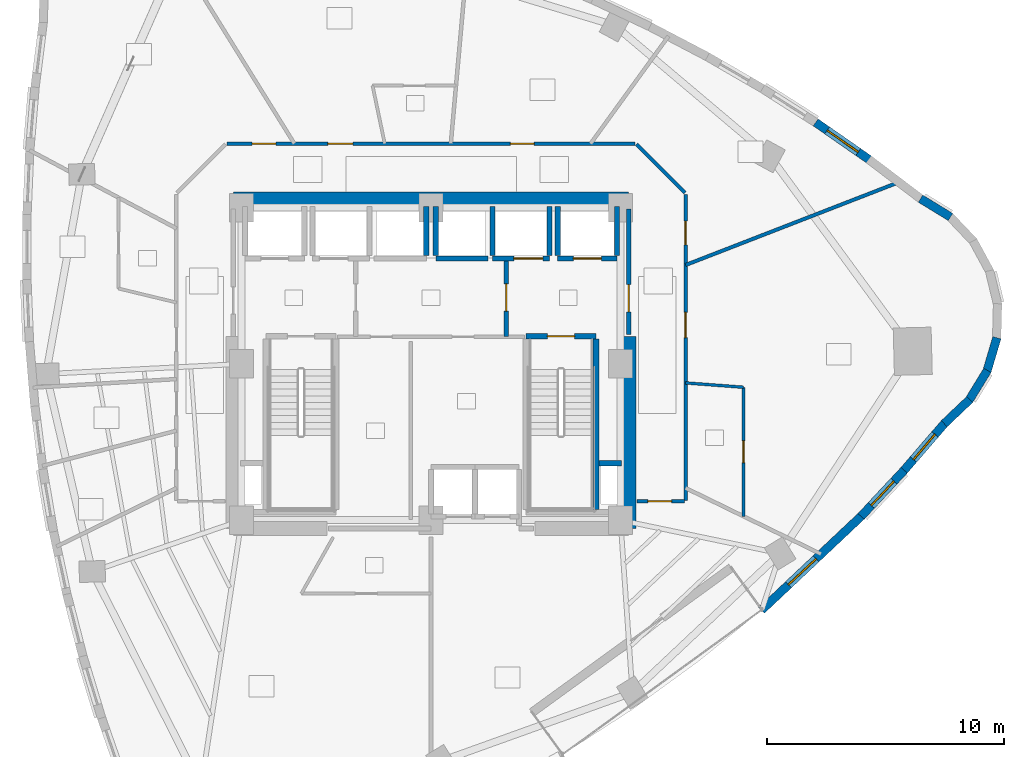
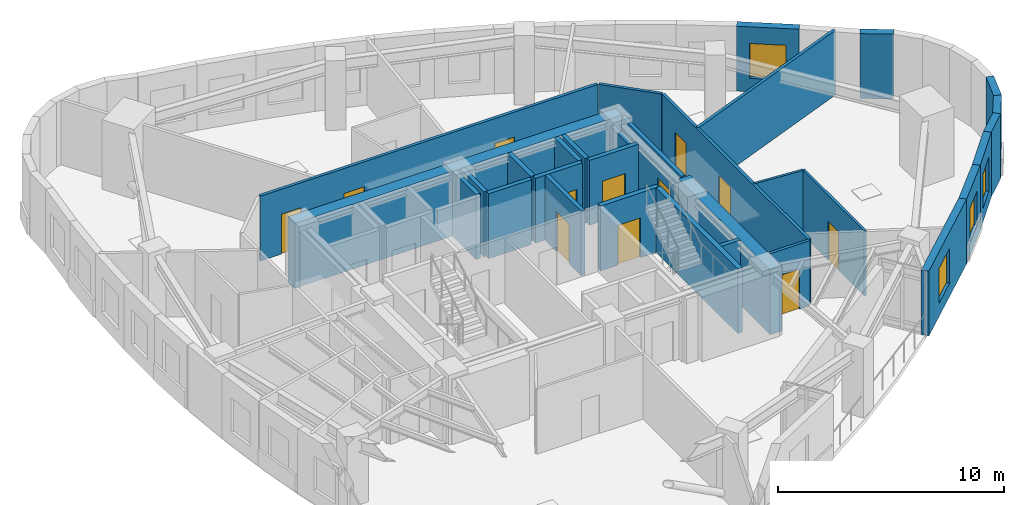
# One storey, part 7 of 12: 31 walls, 12 doors, 4 windows, 16 openings.
"""IFC4 building model written with IfcOpenShell, lengths in metres."""

from ifc_helpers import new_model, si_unit, direction, frame, frame_2d, origin, place, context, subcontext, project, spatial, rectangle, extrude, material, layer, layer_set, type_object, element, fill, save


model = new_model("IFC4")

# Units and contexts
model_context = context("Model", 3, precision=1e-05, world=origin(), true_north=direction((0.0, 1.0)))
body_context = subcontext(model_context, "Body", "Model", "MODEL_VIEW")
ifc_project = project(units=[si_unit("LENGTHUNIT", "METRE"), si_unit("AREAUNIT", "SQUARE_METRE"), si_unit("VOLUMEUNIT", "CUBIC_METRE"), si_unit("PLANEANGLEUNIT", "RADIAN"), si_unit("MASSUNIT", "GRAM", prefix="KILO")], contexts=[model_context])

# Site, building, storey
site_placement = place(None, origin())
site = spatial("IfcSite", under=ifc_project, at=site_placement, CompositionType="ELEMENT")
building_placement = place(site_placement, origin())
building = spatial("IfcBuilding", under=site, at=building_placement, Name="Ndelora Gate Hotel", CompositionType="ELEMENT")
storey_placement = place(building_placement, frame((0.0, 0.0, 149.75)))
storey = spatial("IfcBuildingStorey", under=building, at=storey_placement, Name="L37", CompositionType="ELEMENT", Elevation=149.75)

# Wall, opening, window
ifc_material_1 = material(Name="Clay Brick Masonry", Category="masonry")
ifc_layer_1 = layer(ifc_material_1, 0.360107421875)
ifc_layer_set_1 = layer_set([ifc_layer_1], Name="Clay Brick Masonry")
wall_type_1 = type_object("IfcWallType", Name="WL-BRICK-360", PredefinedType="SOLIDWALL", material=ifc_layer_set_1)
wall_1_placement = place(storey_placement, frame((18.1962890625, -6.4072265625, 0.0), z_axis=(0.0, 0.0, 1.0), x_axis=(-0.727867791097, -0.685717491889, 0.0)))
wall_1 = element("IfcWall", 1, at=wall_1_placement, inside=storey, type_object=wall_type_1, Name="L37 Tower Brick Pier-and-Spandrel Wall TWR-36", PredefinedType="SOLIDWALL", context=body_context, shape_type="SweptSolid", body=[
    extrude(rectangle(XDim=5.826904296875, YDim=0.360107421875, at=frame_2d((2.91357421875, 0.0))), origin(), (0.0, 0.0, 1.0), 3.5),
])
opening_1_placement = place(wall_1_placement, frame((2.659912109375, 0.0, 0.719970703125)))
opening_1 = element("IfcOpeningElement", 2, at=opening_1_placement, cuts=wall_1, Name="Opening W01", PredefinedType="OPENING", context=body_context, shape_type="SweptSolid", body=[
    extrude(rectangle(XDim=1.60009765625, YDim=1.8798828125, at=frame_2d((0.800048828125, 0.93994140625))), frame((0.0, 0.18994140625, 0.0), z_axis=(0.0, -1.0, 0.0), x_axis=(1.0, 0.0, 0.0)), (0.0, 0.0, 1.0), 0.380126953125),
])
ifc_material_2 = material(Name="Insulated Low-E Double Glazing in Bronze Aluminium Frame", Category="aluminium")
window_type_1 = type_object("IfcWindowType", Name="WN-DEEP-1600", PartitioningType="SINGLE_PANEL", PredefinedType="WINDOW", material=ifc_material_2)
window_1_placement = place(opening_1_placement, origin())
window_1 = element("IfcWindow", 3, at=window_1_placement, inside=storey, type_object=window_type_1, Name="L37 Deep-Set Brick-Pier Window W01", OverallHeight=1.8798828125, OverallWidth=1.60009765625, PartitioningType="SINGLE_PANEL", PredefinedType="WINDOW", context=body_context, shape_type="SweptSolid", body=[
    extrude(rectangle(XDim=1.60009765625, YDim=1.8798828125, at=frame_2d((0.800048828125, 0.93994140625))), frame((0.0, 0.030029296875, 0.0), z_axis=(0.0, -1.0, 0.0), x_axis=(1.0, 0.0, 0.0)), (0.0, 0.0, 1.0), 0.06005859375),
])
fill(opening_1, window_1)

wall_2_placement = place(storey_placement, frame((19.982666015625, -4.4912109375, 0.0), z_axis=(0.0, 0.0, 1.0), x_axis=(-0.682409479106, -0.730970110761, 0.0)))
wall_2 = element("IfcWall", 4, at=wall_2_placement, inside=storey, type_object=wall_type_1, Name="L37 Tower Brick Pier-and-Spandrel Wall TWR-37", PredefinedType="SOLIDWALL", context=body_context, shape_type="SweptSolid", body=[
    extrude(rectangle(XDim=2.669677734375, YDim=0.360107421875, at=frame_2d((1.3349609375, 0.0))), origin(), (0.0, 0.0, 1.0), 3.5),
])
opening_2_placement = place(wall_2_placement, frame((0.634765625, 0.0, 0.719970703125)))
opening_2 = element("IfcOpeningElement", 5, at=opening_2_placement, cuts=wall_2, Name="Opening W02", PredefinedType="OPENING", context=body_context, shape_type="SweptSolid", body=[
    extrude(rectangle(XDim=1.39990234375, YDim=1.840087890625, at=frame_2d((0.699951171875, 0.919921875))), frame((0.0, 0.18994140625, 0.0), z_axis=(0.0, -1.0, 0.0), x_axis=(1.0, 0.0, 0.0)), (0.0, 0.0, 1.0), 0.380126953125),
])
window_type_2 = type_object("IfcWindowType", Name="WN-DEEP-1400", PartitioningType="SINGLE_PANEL", PredefinedType="WINDOW", material=ifc_material_2)
window_2_placement = place(opening_2_placement, origin())
window_2 = element("IfcWindow", 6, at=window_2_placement, inside=storey, type_object=window_type_2, Name="L37 Deep-Set Brick-Pier Window W02", OverallHeight=1.840087890625, OverallWidth=1.39990234375, PartitioningType="SINGLE_PANEL", PredefinedType="WINDOW", context=body_context, shape_type="SweptSolid", body=[
    extrude(rectangle(XDim=1.39990234375, YDim=1.840087890625, at=frame_2d((0.699951171875, 0.919921875))), frame((0.0, 0.030029296875, 0.0), z_axis=(0.0, -1.0, 0.0), x_axis=(1.0, 0.0, 0.0)), (0.0, 0.0, 1.0), 0.06005859375),
])
fill(opening_2, window_2)

wall_3_placement = place(storey_placement, frame((21.707763671875, -2.490478515625, 0.0), z_axis=(0.0, 0.0, 1.0), x_axis=(-0.653319915085, -0.757081956299, 0.0)))
wall_3 = element("IfcWall", 7, at=wall_3_placement, inside=storey, type_object=wall_type_1, Name="L37 Tower Brick Pier-and-Spandrel Wall TWR-38", PredefinedType="SOLIDWALL", context=body_context, shape_type="SweptSolid", body=[
    extrude(rectangle(XDim=2.691650390625, YDim=0.360107421875, at=frame_2d((1.345703125, 0.0))), origin(), (0.0, 0.0, 1.0), 3.5),
])
opening_3_placement = place(wall_3_placement, frame((0.645751953125, 0.0, 0.719970703125)))
opening_3 = element("IfcOpeningElement", 8, at=opening_3_placement, cuts=wall_3, Name="Opening W02", PredefinedType="OPENING", context=body_context, shape_type="SweptSolid", body=[
    extrude(rectangle(XDim=1.39990234375, YDim=1.840087890625, at=frame_2d((0.699951171875, 0.919921875))), frame((0.0, 0.18994140625, 0.0), z_axis=(0.0, -1.0, 0.0), x_axis=(1.0, 0.0, 0.0)), (0.0, 0.0, 1.0), 0.380126953125),
])
window_3_placement = place(opening_3_placement, origin())
window_3 = element("IfcWindow", 9, at=window_3_placement, inside=storey, type_object=window_type_2, Name="L37 Deep-Set Brick-Pier Window W02", OverallHeight=1.840087890625, OverallWidth=1.39990234375, PartitioningType="SINGLE_PANEL", PredefinedType="WINDOW", context=body_context, shape_type="SweptSolid", body=[
    extrude(rectangle(XDim=1.39990234375, YDim=1.840087890625, at=frame_2d((0.699951171875, 0.919921875))), frame((0.0, 0.030029296875, 0.0), z_axis=(0.0, -1.0, 0.0), x_axis=(1.0, 0.0, 0.0)), (0.0, 0.0, 1.0), 0.06005859375),
])
fill(opening_3, window_3)

# Walls
for number, where, z_axis, x_axis, name in (
    (10, (22.751220703125, -1.50390625, 0.0), (0.0, 0.0, 1.0), (-0.725430039612, -0.688295908479, 0.0), "L37 Tower Brick Pier-and-Spandrel Wall TWR-39"),
    (11, (23.496337890625, -0.275634765625, 0.0), (0.0, 0.0, 1.0), (-0.522519673624, -0.852627228439, 0.0), "L37 Tower Brick Pier-and-Spandrel Wall TWR-40"),
    (12, (23.89794921875, 1.103759765625, 0.0), (0.0, 0.0, 1.0), (-0.283909315084, -0.958851135896, 0.0), "L37 Tower Brick Pier-and-Spandrel Wall TWR-41"),
    (13, (20.67431640625, 6.977783203125, 0.0), (0.0, 0.0, 1.0), (0.852627228439, -0.522519673624, 0.0), "L37 Tower Brick Pier-and-Spandrel Wall TWR-46"),
):
    element("IfcWall", number, at=place(storey_placement, frame(where, z_axis=z_axis, x_axis=x_axis)), inside=storey, type_object=wall_type_1, Name=name, PredefinedType="SOLIDWALL", context=body_context, shape_type="SweptSolid", body=[
        extrude(rectangle(XDim=1.48583984375, YDim=0.360107421875, at=frame_2d((0.742919921875, 0.0))), origin(), (0.0, 0.0, 1.0), 3.5),
    ])

# Wall, opening, window
wall_4_placement = place(storey_placement, frame((16.24365234375, 10.198486328125, 0.0), z_axis=(0.0, 0.0, 1.0), x_axis=(0.820851453433, -0.5711417437, 0.0)))
wall_4 = element("IfcWall", 14, at=wall_4_placement, inside=storey, type_object=wall_type_1, Name="L37 Tower Brick Pier-and-Spandrel Wall TWR-48", PredefinedType="SOLIDWALL", context=body_context, shape_type="SweptSolid", body=[
    extrude(rectangle(XDim=2.777587890625, YDim=0.360107421875, at=frame_2d((1.388671875, 0.0))), origin(), (0.0, 0.0, 1.0), 3.5),
])
opening_4_placement = place(wall_4_placement, frame((0.5888671875, 0.0, 0.719970703125)))
opening_4 = element("IfcOpeningElement", 15, at=opening_4_placement, cuts=wall_4, Name="Opening W01", PredefinedType="OPENING", context=body_context, shape_type="SweptSolid", body=[
    extrude(rectangle(XDim=1.60009765625, YDim=1.8798828125, at=frame_2d((0.800048828125, 0.93994140625))), frame((0.0, 0.18994140625, 0.0), z_axis=(0.0, -1.0, 0.0), x_axis=(1.0, 0.0, 0.0)), (0.0, 0.0, 1.0), 0.380126953125),
])
window_4_placement = place(opening_4_placement, origin())
window_4 = element("IfcWindow", 16, at=window_4_placement, inside=storey, type_object=window_type_1, Name="L37 Deep-Set Brick-Pier Window W01", OverallHeight=1.8798828125, OverallWidth=1.60009765625, PartitioningType="SINGLE_PANEL", PredefinedType="WINDOW", context=body_context, shape_type="SweptSolid", body=[
    extrude(rectangle(XDim=1.60009765625, YDim=1.8798828125, at=frame_2d((0.800048828125, 0.93994140625))), frame((0.0, 0.030029296875, 0.0), z_axis=(0.0, -1.0, 0.0), x_axis=(1.0, 0.0, 0.0)), (0.0, 0.0, 1.0), 0.06005859375),
])
fill(opening_4, window_4)

# Walls
ifc_material_3 = material(Name="Concrete C60/75", Category="concrete")
ifc_layer_2 = layer(ifc_material_3, 0.60009765625)
ifc_layer_set_2 = layer_set([ifc_layer_2], Name="Concrete C60/75")
wall_type_2 = type_object("IfcWallType", Name="WL-CORE-600", PredefinedType="SHEAR", material=ifc_layer_set_2)
wall_5_placement = place(storey_placement, frame((-8.35009765625, 6.949951171875, 0.0), z_axis=(0.0, 0.0, 1.0), x_axis=(1.0, 0.0, 0.0)))
element("IfcWall", 17, at=wall_5_placement, inside=storey, type_object=wall_type_2, Name="L37 Core Shear Wall N", PredefinedType="SHEAR", context=body_context, shape_type="SweptSolid", body=[
    extrude(rectangle(XDim=16.7001953125, YDim=0.60009765625, at=frame_2d((8.35009765625, 0.0))), origin(), (0.0, 0.0, 1.0), 3.5),
])
wall_6_placement = place(storey_placement, frame((8.35009765625, -6.949951171875, 0.0), z_axis=(0.0, 0.0, 1.0), x_axis=(0.0, 1.0, 0.0)))
element("IfcWall", 18, at=wall_6_placement, inside=storey, type_object=wall_type_2, Name="L37 Core Shear Wall E", PredefinedType="SHEAR", context=body_context, shape_type="SweptSolid", body=[
    extrude(rectangle(XDim=8.099853515625, YDim=0.60009765625, at=frame_2d((4.0498046875, 0.0))), origin(), (0.0, 0.0, 1.0), 3.5),
])

# Wall, opening, door
ifc_material_4 = material(Name="Concrete C40/50", Category="concrete")
ifc_layer_3 = layer(ifc_material_4, 0.199951171875)
ifc_layer_set_3 = layer_set([ifc_layer_3], Name="Concrete C40/50")
wall_type_3 = type_object("IfcWallType", Name="WL-FIRE-200", PredefinedType="PARTITIONING", material=ifc_layer_set_3)
wall_7_placement = place(storey_placement, frame((3.179931640625, 1.14990234375, 0.0), z_axis=(0.0, 0.0, 1.0), x_axis=(0.0, 1.0, 0.0)))
wall_7 = element("IfcWall", 19, at=wall_7_placement, inside=storey, type_object=wall_type_3, Name="L37 Interior Wall IW-2", PredefinedType="PARTITIONING", context=body_context, shape_type="SweptSolid", body=[
    extrude(rectangle(XDim=3.300048828125, YDim=0.199951171875, at=frame_2d((1.64990234375, 0.0))), origin(), (0.0, 0.0, 1.0), 3.5),
])
opening_5_placement = place(wall_7_placement, frame((1.080078125, 0.0, 0.0)))
opening_5 = element("IfcOpeningElement", 20, at=opening_5_placement, cuts=wall_7, Name="Opening FD1", PredefinedType="OPENING", context=body_context, shape_type="SweptSolid", body=[
    extrude(rectangle(XDim=1.14990234375, YDim=2.14990234375, at=frame_2d((0.574951171875, 1.074951171875))), frame((0.0, 0.10986328125, 0.0), z_axis=(0.0, -1.0, 0.0), x_axis=(1.0, 0.0, 0.0)), (0.0, 0.0, 1.0), 0.219970703125),
])
ifc_material_5 = material(Name="Fire-Rated Timber-Veneer Steel Core", Category="steel")
door_type_1 = type_object("IfcDoorType", Name="DR-FD60", OperationType="SINGLE_SWING_LEFT", PredefinedType="DOOR", material=ifc_material_5)
door_1_placement = place(opening_5_placement, origin())
door_1 = element("IfcDoor", 21, at=door_1_placement, inside=storey, type_object=door_type_1, Name="L37 Firefighting Lobby East Door", OperationType="SINGLE_SWING_LEFT", OverallHeight=2.14990234375, OverallWidth=1.14990234375, PredefinedType="DOOR", context=body_context, shape_type="SweptSolid", body=[
    extrude(rectangle(XDim=1.14990234375, YDim=2.14990234375, at=frame_2d((0.574951171875, 1.074951171875))), frame((0.0, 0.02490234375, 0.0), z_axis=(0.0, -1.0, 0.0), x_axis=(1.0, 0.0, 0.0)), (0.0, 0.0, 1.0), 0.050048828125),
])
fill(opening_5, door_1)

wall_8_placement = place(storey_placement, frame((8.35009765625, 1.25, 0.0), z_axis=(0.0, 0.0, 1.0), x_axis=(0.0, 1.0, 0.0)))
wall_8 = element("IfcWall", 22, at=wall_8_placement, inside=storey, type_object=wall_type_3, Name="L37 Interior Wall IW-2", PredefinedType="PARTITIONING", context=body_context, shape_type="SweptSolid", body=[
    extrude(rectangle(XDim=5.300048828125, YDim=0.199951171875, at=frame_2d((2.64990234375, 0.0))), origin(), (0.0, 0.0, 1.0), 3.5),
])
opening_6_placement = place(wall_8_placement, frame((0.949951171875, 0.0, 0.0)))
opening_6 = element("IfcOpeningElement", 23, at=opening_6_placement, cuts=wall_8, Name="Opening FD1", PredefinedType="OPENING", context=body_context, shape_type="SweptSolid", body=[
    extrude(rectangle(XDim=1.14990234375, YDim=2.14990234375, at=frame_2d((0.574951171875, 1.074951171875))), frame((0.0, 0.10986328125, 0.0), z_axis=(0.0, -1.0, 0.0), x_axis=(1.0, 0.0, 0.0)), (0.0, 0.0, 1.0), 0.219970703125),
])
door_2_placement = place(opening_6_placement, origin())
door_2 = element("IfcDoor", 24, at=door_2_placement, inside=storey, type_object=door_type_1, Name="L37 Firefighting Lobby East Corridor Door", OperationType="SINGLE_SWING_RIGHT", OverallHeight=2.14990234375, OverallWidth=1.14990234375, PredefinedType="DOOR", context=body_context, shape_type="SweptSolid", body=[
    extrude(rectangle(XDim=1.14990234375, YDim=2.14990234375, at=frame_2d((0.574951171875, 1.074951171875))), frame((0.0, 0.02490234375, 0.0), z_axis=(0.0, -1.0, 0.0), x_axis=(1.0, 0.0, 0.0)), (0.0, 0.0, 1.0), 0.050048828125),
])
fill(opening_6, door_2)

ifc_material_6 = material(Name="Fire-Rated Gypsum Stud Partition", Category="gypsum")
ifc_layer_4 = layer(ifc_material_6, 0.14990234375)
ifc_layer_set_4 = layer_set([ifc_layer_4], Name="Fire-Rated Gypsum Stud Partition")
wall_type_4 = type_object("IfcWallType", Name="WL-PART-150", PredefinedType="PARTITIONING", material=ifc_layer_set_4)
wall_9_placement = place(storey_placement, frame((10.7099609375, -5.800048828125, 0.0), z_axis=(0.0, 0.0, 1.0), x_axis=(-1.0, 0.0, 0.0)))
wall_9 = element("IfcWall", 25, at=wall_9_placement, inside=storey, type_object=wall_type_4, Name="L37 Interior Wall IW-5", PredefinedType="PARTITIONING", context=body_context, shape_type="SweptSolid", body=[
    extrude(rectangle(XDim=2.02001953125, YDim=0.14990234375, at=frame_2d((1.010009765625, 0.0))), origin(), (0.0, 0.0, 1.0), 3.5),
])
opening_7_placement = place(wall_9_placement, frame((0.550048828125, 0.0, 0.0)))
opening_7 = element("IfcOpeningElement", 26, at=opening_7_placement, cuts=wall_9, Name="Opening D01", PredefinedType="OPENING", context=body_context, shape_type="SweptSolid", body=[
    extrude(rectangle(XDim=1.0, YDim=2.14990234375, at=frame_2d((0.5, 1.074951171875))), frame((0.0, 0.0849609375, 0.0), z_axis=(0.0, -1.0, 0.0), x_axis=(1.0, 0.0, 0.0)), (0.0, 0.0, 1.0), 0.169921875),
])
ifc_material_7 = material(Name="Acoustic Hardwood Guest Entrance Door", Category="wood")
door_type_2 = type_object("IfcDoorType", Name="DR-COR-1000", OperationType="SINGLE_SWING_LEFT", PredefinedType="DOOR", material=ifc_material_7)
door_3_placement = place(opening_7_placement, origin())
door_3 = element("IfcDoor", 27, at=door_3_placement, inside=storey, type_object=door_type_2, Name="L37 Sky Garden Tea Dining Room Entrance Door", OperationType="SINGLE_SWING_LEFT", OverallHeight=2.14990234375, OverallWidth=1.0, PredefinedType="DOOR", context=body_context, shape_type="SweptSolid", body=[
    extrude(rectangle(XDim=1.0, YDim=2.14990234375, at=frame_2d((0.5, 1.074951171875))), frame((0.0, 0.02490234375, 0.0), z_axis=(0.0, -1.0, 0.0), x_axis=(1.0, 0.0, 0.0)), (0.0, 0.0, 1.0), 0.050048828125),
])
fill(opening_7, door_3)

# Wall, openings, doors
wall_10_placement = place(storey_placement, frame((10.75, 7.159912109375, 0.0), z_axis=(0.0, 0.0, 1.0), x_axis=(0.0, -1.0, 0.0)))
wall_10 = element("IfcWall", 28, at=wall_10_placement, inside=storey, type_object=wall_type_4, Name="L37 Interior Wall IW-5", PredefinedType="PARTITIONING", context=body_context, shape_type="SweptSolid", body=[
    extrude(rectangle(XDim=12.919921875, YDim=0.14990234375, at=frame_2d((6.4599609375, 0.0))), origin(), (0.0, 0.0, 1.0), 3.5),
])
opening_8_placement = place(wall_10_placement, frame((1.1328125, 0.0, 0.0)))
opening_8 = element("IfcOpeningElement", 29, at=opening_8_placement, cuts=wall_10, Name="Opening D01", PredefinedType="OPENING", context=body_context, shape_type="SweptSolid", body=[
    extrude(rectangle(XDim=1.0, YDim=2.14990234375, at=frame_2d((0.5, 1.074951171875))), frame((0.0, 0.0849609375, 0.0), z_axis=(0.0, -1.0, 0.0), x_axis=(1.0, 0.0, 0.0)), (0.0, 0.0, 1.0), 0.169921875),
])
opening_9_placement = place(wall_10_placement, frame((4.989013671875, 0.0, 0.0)))
opening_9 = element("IfcOpeningElement", 30, at=opening_9_placement, cuts=wall_10, Name="Opening D07", PredefinedType="OPENING", context=body_context, shape_type="SweptSolid", body=[
    extrude(rectangle(XDim=1.06005859375, YDim=2.14990234375, at=frame_2d((0.530029296875, 1.074951171875))), frame((0.0, 0.0849609375, 0.0), z_axis=(0.0, -1.0, 0.0), x_axis=(1.0, 0.0, 0.0)), (0.0, 0.0, 1.0), 0.169921875),
])
door_4_placement = place(opening_8_placement, origin())
door_4 = element("IfcDoor", 31, at=door_4_placement, inside=storey, type_object=door_type_2, Name="L37 Club Fitness Gym Entrance Door", OperationType="SINGLE_SWING_RIGHT", OverallHeight=2.14990234375, OverallWidth=1.0, PredefinedType="DOOR", context=body_context, shape_type="SweptSolid", body=[
    extrude(rectangle(XDim=1.0, YDim=2.14990234375, at=frame_2d((0.5, 1.074951171875))), frame((0.0, 0.02490234375, 0.0), z_axis=(0.0, -1.0, 0.0), x_axis=(1.0, 0.0, 0.0)), (0.0, 0.0, 1.0), 0.050048828125),
])
fill(opening_8, door_4)
ifc_material_8 = material(Name="Diplomatic Suite Acoustic Entrance Door", Category="wood")
door_type_3 = type_object("IfcDoorType", Name="DR-SUITE-1060", OperationType="SINGLE_SWING_LEFT", PredefinedType="DOOR", material=ifc_material_8)
door_5_placement = place(opening_9_placement, origin())
door_5 = element("IfcDoor", 32, at=door_5_placement, inside=storey, type_object=door_type_3, Name="L37 Diplomatic Reception Suite 4002 Entrance Door", OperationType="SINGLE_SWING_RIGHT", OverallHeight=2.14990234375, OverallWidth=1.06005859375, PredefinedType="DOOR", context=body_context, shape_type="SweptSolid", body=[
    extrude(rectangle(XDim=1.06005859375, YDim=2.14990234375, at=frame_2d((0.530029296875, 1.074951171875))), frame((0.0, 0.02490234375, 0.0), z_axis=(0.0, -1.0, 0.0), x_axis=(1.0, 0.0, 0.0)), (0.0, 0.0, 1.0), 0.050048828125),
])
fill(opening_9, door_5)

# Wall
wall_11_placement = place(storey_placement, frame((8.67822265625, 9.271728515625, 0.0), z_axis=(0.0, 0.0, 1.0), x_axis=(0.707106781187, -0.707106781187, 0.0)))
element("IfcWall", 33, at=wall_11_placement, inside=storey, type_object=wall_type_4, Name="L37 Interior Wall IW-5", PredefinedType="PARTITIONING", context=body_context, shape_type="SweptSolid", body=[
    extrude(rectangle(XDim=2.889892578125, YDim=0.14990234375, at=frame_2d((1.44482421875, 0.0))), origin(), (0.0, 0.0, 1.0), 3.5),
])

# Wall, openings, doors
wall_12_placement = place(storey_placement, frame((-8.610107421875, 9.300048828125, 0.0), z_axis=(0.0, 0.0, 1.0), x_axis=(1.0, 0.0, 0.0)))
wall_12 = element("IfcWall", 34, at=wall_12_placement, inside=storey, type_object=wall_type_4, Name="L37 Interior Wall IW-5", PredefinedType="PARTITIONING", context=body_context, shape_type="SweptSolid", body=[
    extrude(rectangle(XDim=17.22021484375, YDim=0.14990234375, at=frame_2d((8.610107421875, 0.0))), origin(), (0.0, 0.0, 1.0), 3.5),
])
opening_10_placement = place(wall_12_placement, frame((11.96630859375, 0.0, 0.0)))
opening_10 = element("IfcOpeningElement", 35, at=opening_10_placement, cuts=wall_12, Name="Opening D01", PredefinedType="OPENING", context=body_context, shape_type="SweptSolid", body=[
    extrude(rectangle(XDim=1.0, YDim=2.14990234375, at=frame_2d((0.5, 1.074951171875))), frame((0.0, 0.0849609375, 0.0), z_axis=(0.0, -1.0, 0.0), x_axis=(1.0, 0.0, 0.0)), (0.0, 0.0, 1.0), 0.169921875),
])
opening_11_placement = place(wall_12_placement, frame((1.05908203125, 0.0, 0.0)))
opening_11 = element("IfcOpeningElement", 36, at=opening_11_placement, cuts=wall_12, Name="Opening D01", PredefinedType="OPENING", context=body_context, shape_type="SweptSolid", body=[
    extrude(rectangle(XDim=1.0, YDim=2.14990234375, at=frame_2d((0.5, 1.074951171875))), frame((0.0, 0.0849609375, 0.0), z_axis=(0.0, -1.0, 0.0), x_axis=(1.0, 0.0, 0.0)), (0.0, 0.0, 1.0), 0.169921875),
])
opening_12_placement = place(wall_12_placement, frame((4.25244140625, 0.0, 0.0)))
opening_12 = element("IfcOpeningElement", 37, at=opening_12_placement, cuts=wall_12, Name="Opening D07", PredefinedType="OPENING", context=body_context, shape_type="SweptSolid", body=[
    extrude(rectangle(XDim=1.06005859375, YDim=2.14990234375, at=frame_2d((0.530029296875, 1.074951171875))), frame((0.0, 0.0849609375, 0.0), z_axis=(0.0, -1.0, 0.0), x_axis=(1.0, 0.0, 0.0)), (0.0, 0.0, 1.0), 0.169921875),
])
door_6_placement = place(opening_10_placement, origin())
door_6 = element("IfcDoor", 38, at=door_6_placement, inside=storey, type_object=door_type_2, Name="L37 Wellness Yoga Studio Entrance Door", OperationType="SINGLE_SWING_LEFT", OverallHeight=2.14990234375, OverallWidth=1.0, PredefinedType="DOOR", context=body_context, shape_type="SweptSolid", body=[
    extrude(rectangle(XDim=1.0, YDim=2.14990234375, at=frame_2d((0.5, 1.074951171875))), frame((0.0, 0.02490234375, 0.0), z_axis=(0.0, -1.0, 0.0), x_axis=(1.0, 0.0, 0.0)), (0.0, 0.0, 1.0), 0.050048828125),
])
fill(opening_10, door_6)
door_7_placement = place(opening_11_placement, origin())
door_7 = element("IfcDoor", 39, at=door_7_placement, inside=storey, type_object=door_type_2, Name="L37 Boutique Travel Shop Entrance Door", OperationType="SINGLE_SWING_LEFT", OverallHeight=2.14990234375, OverallWidth=1.0, PredefinedType="DOOR", context=body_context, shape_type="SweptSolid", body=[
    extrude(rectangle(XDim=1.0, YDim=2.14990234375, at=frame_2d((0.5, 1.074951171875))), frame((0.0, 0.02490234375, 0.0), z_axis=(0.0, -1.0, 0.0), x_axis=(1.0, 0.0, 0.0)), (0.0, 0.0, 1.0), 0.050048828125),
])
fill(opening_11, door_7)
door_8_placement = place(opening_12_placement, origin())
door_8 = element("IfcDoor", 40, at=door_8_placement, inside=storey, type_object=door_type_3, Name="L37 South Horizon Suite 4003 Entrance Door", OperationType="SINGLE_SWING_RIGHT", OverallHeight=2.14990234375, OverallWidth=1.06005859375, PredefinedType="DOOR", context=body_context, shape_type="SweptSolid", body=[
    extrude(rectangle(XDim=1.06005859375, YDim=2.14990234375, at=frame_2d((0.530029296875, 1.074951171875))), frame((0.0, 0.02490234375, 0.0), z_axis=(0.0, -1.0, 0.0), x_axis=(1.0, 0.0, 0.0)), (0.0, 0.0, 1.0), 0.050048828125),
])
fill(opening_12, door_8)

# Walls
wall_13_placement = place(storey_placement, frame((10.75, 4.17431640625, 0.0), z_axis=(0.0, 0.0, 1.0), x_axis=(0.932193195681, 0.361961111068, 0.0)))
element("IfcWall", 41, at=wall_13_placement, inside=storey, type_object=wall_type_4, Name="L37 Interior Wall IW-5", PredefinedType="PARTITIONING", context=body_context, shape_type="SweptSolid", body=[
    extrude(rectangle(XDim=9.666259765625, YDim=0.14990234375, at=frame_2d((4.8330078125, 0.0))), origin(), (0.0, 0.0, 1.0), 3.5),
])
ifc_layer_5 = layer(ifc_material_4, 0.219970703125)
ifc_layer_set_5 = layer_set([ifc_layer_5], Name="Concrete C40/50")
wall_type_5 = type_object("IfcWallType", Name="WL-SHAFT-220", PredefinedType="PARTITIONING", material=ifc_layer_set_5)
wall_14_placement = place(storey_placement, frame((7.090087890625, -4.199951171875, 0.0), z_axis=(0.0, 0.0, 1.0), x_axis=(1.0, 0.0, 0.0)))
element("IfcWall", 42, at=wall_14_placement, inside=storey, type_object=wall_type_5, Name="L37 Interior Wall IW-1", PredefinedType="PARTITIONING", context=body_context, shape_type="SweptSolid", body=[
    extrude(rectangle(XDim=0.9599609375, YDim=0.219970703125, at=frame_2d((0.47998046875, 0.0))), origin(), (0.0, 0.0, 1.0), 3.5),
])

# Wall, opening, door
wall_15_placement = place(storey_placement, frame((5.35009765625, 4.449951171875, 0.0), z_axis=(0.0, 0.0, 1.0), x_axis=(1.0, 0.0, 0.0)))
wall_15 = element("IfcWall", 43, at=wall_15_placement, inside=storey, type_object=wall_type_5, Name="L37 Interior Wall IW-1", PredefinedType="PARTITIONING", context=body_context, shape_type="SweptSolid", body=[
    extrude(rectangle(XDim=2.5, YDim=0.219970703125, at=frame_2d((1.25, 0.0))), origin(), (0.0, 0.0, 1.0), 3.5),
])
opening_13_placement = place(wall_15_placement, frame((0.659912109375, 0.0, 0.0)))
opening_13 = element("IfcOpeningElement", 44, at=opening_13_placement, cuts=wall_15, Name="Opening LD5", PredefinedType="OPENING", context=body_context, shape_type="SweptSolid", body=[
    extrude(rectangle(XDim=1.179931640625, YDim=2.14990234375, at=frame_2d((0.58984375, 1.074951171875))), frame((0.0, 0.1201171875, 0.0), z_axis=(0.0, -1.0, 0.0), x_axis=(1.0, 0.0, 0.0)), (0.0, 0.0, 1.0), 0.239990234375),
])
ifc_material_9 = material(Name="Firefighting Lift Stainless Sliding Landing Door", Category="metal")
door_type_4 = type_object("IfcDoorType", Name="DR-LD5", OperationType="DOUBLE_DOOR_SLIDING", PredefinedType="DOOR", material=ifc_material_9)
door_9_placement = place(opening_13_placement, origin())
door_9 = element("IfcDoor", 45, at=door_9_placement, inside=storey, type_object=door_type_4, Name="L37 Lift Landing Sliding Door FFL2", OperationType="DOUBLE_DOOR_SLIDING", OverallHeight=2.14990234375, OverallWidth=1.179931640625, PredefinedType="DOOR", context=body_context, shape_type="SweptSolid", body=[
    extrude(rectangle(XDim=1.179931640625, YDim=2.14990234375, at=frame_2d((0.58984375, 1.074951171875))), frame((0.0, 0.02490234375, 0.0), z_axis=(0.0, -1.0, 0.0), x_axis=(1.0, 0.0, 0.0)), (0.0, 0.0, 1.0), 0.050048828125),
])
fill(opening_13, door_9)

# Walls
wall_16_placement = place(storey_placement, frame((5.35009765625, 4.570068359375, 0.0), z_axis=(0.0, 0.0, 1.0), x_axis=(0.0, 1.0, 0.0)))
element("IfcWall", 46, at=wall_16_placement, inside=storey, type_object=wall_type_5, Name="L37 Interior Wall IW-1", PredefinedType="PARTITIONING", context=body_context, shape_type="SweptSolid", body=[
    extrude(rectangle(XDim=2.079833984375, YDim=0.219970703125, at=frame_2d((1.0400390625, 0.0))), origin(), (0.0, 0.0, 1.0), 3.5),
])
wall_17_placement = place(storey_placement, frame((7.85009765625, 4.570068359375, 0.0), z_axis=(0.0, 0.0, 1.0), x_axis=(0.0, 1.0, 0.0)))
element("IfcWall", 47, at=wall_17_placement, inside=storey, type_object=wall_type_5, Name="L37 Interior Wall IW-1", PredefinedType="PARTITIONING", context=body_context, shape_type="SweptSolid", body=[
    extrude(rectangle(XDim=2.079833984375, YDim=0.219970703125, at=frame_2d((1.0400390625, 0.0))), origin(), (0.0, 0.0, 1.0), 3.1201171875),
])

# Wall, opening, door
wall_18_placement = place(storey_placement, frame((2.60009765625, 4.449951171875, 0.0), z_axis=(0.0, 0.0, 1.0), x_axis=(1.0, 0.0, 0.0)))
wall_18 = element("IfcWall", 48, at=wall_18_placement, inside=storey, type_object=wall_type_5, Name="L37 Interior Wall IW-1", PredefinedType="PARTITIONING", context=body_context, shape_type="SweptSolid", body=[
    extrude(rectangle(XDim=2.39990234375, YDim=0.219970703125, at=frame_2d((1.199951171875, 0.0))), origin(), (0.0, 0.0, 1.0), 3.5),
])
opening_14_placement = place(wall_18_placement, frame((0.89990234375, 0.0, 0.0)))
opening_14 = element("IfcOpeningElement", 49, at=opening_14_placement, cuts=wall_18, Name="Opening LD6", PredefinedType="OPENING", context=body_context, shape_type="SweptSolid", body=[
    extrude(rectangle(XDim=1.219970703125, YDim=2.14990234375, at=frame_2d((0.60986328125, 1.074951171875))), frame((0.0, 0.1201171875, 0.0), z_axis=(0.0, -1.0, 0.0), x_axis=(1.0, 0.0, 0.0)), (0.0, 0.0, 1.0), 0.239990234375),
])
ifc_material_10 = material(Name="Heavy-Duty Service Lift Sliding Landing Door", Category="wood")
door_type_5 = type_object("IfcDoorType", Name="DR-LD6", OperationType="DOUBLE_DOOR_SLIDING", PredefinedType="DOOR", material=ifc_material_10)
door_10_placement = place(opening_14_placement, origin())
door_10 = element("IfcDoor", 50, at=door_10_placement, inside=storey, type_object=door_type_5, Name="L37 Lift Landing Sliding Door SVL2", OperationType="DOUBLE_DOOR_SLIDING", OverallHeight=2.14990234375, OverallWidth=1.219970703125, PredefinedType="DOOR", context=body_context, shape_type="SweptSolid", body=[
    extrude(rectangle(XDim=1.219970703125, YDim=2.14990234375, at=frame_2d((0.60986328125, 1.074951171875))), frame((0.0, 0.02490234375, 0.0), z_axis=(0.0, -1.0, 0.0), x_axis=(1.0, 0.0, 0.0)), (0.0, 0.0, 1.0), 0.050048828125),
])
fill(opening_14, door_10)

# Walls
for number, where, z_axis, x_axis, name in (
    (51, (2.60009765625, 4.570068359375, 0.0), (0.0, 0.0, 1.0), (0.0, 1.0, 0.0), "L37 Interior Wall IW-1"),
    (52, (5.0, 4.570068359375, 0.0), (0.0, 0.0, 1.0), (0.0, 1.0, 0.0), "L37 Interior Wall IW-1"),
    (53, (-0.199951171875, 4.570068359375, 0.0), (0.0, 0.0, 1.0), (0.0, 1.0, 0.0), "L37 Interior Wall IW-1"),
):
    element("IfcWall", number, at=place(storey_placement, frame(where, z_axis=z_axis, x_axis=x_axis)), inside=storey, type_object=wall_type_5, Name=name, PredefinedType="PARTITIONING", context=body_context, shape_type="SweptSolid", body=[
        extrude(rectangle(XDim=2.079833984375, YDim=0.219970703125, at=frame_2d((1.0400390625, 0.0))), origin(), (0.0, 0.0, 1.0), 3.5),
    ])
wall_19_placement = place(storey_placement, frame((0.199951171875, 4.449951171875, 0.0), z_axis=(0.0, 0.0, 1.0), x_axis=(1.0, 0.0, 0.0)))
element("IfcWall", 54, at=wall_19_placement, inside=storey, type_object=wall_type_5, Name="L37 Interior Wall IW-1", PredefinedType="PARTITIONING", context=body_context, shape_type="SweptSolid", body=[
    extrude(rectangle(XDim=2.199951171875, YDim=0.219970703125, at=frame_2d((1.10009765625, 0.0))), origin(), (0.0, 0.0, 1.0), 3.5),
])
wall_20_placement = place(storey_placement, frame((0.199951171875, 4.570068359375, 0.0), z_axis=(0.0, 0.0, 1.0), x_axis=(0.0, 1.0, 0.0)))
element("IfcWall", 55, at=wall_20_placement, inside=storey, type_object=wall_type_5, Name="L37 Interior Wall IW-1", PredefinedType="PARTITIONING", context=body_context, shape_type="SweptSolid", body=[
    extrude(rectangle(XDim=2.079833984375, YDim=0.219970703125, at=frame_2d((1.0400390625, 0.0))), origin(), (0.0, 0.0, 1.0), 3.5),
])
ifc_material_11 = material(Name="Concrete C50/60", Category="concrete")
ifc_layer_6 = layer(ifc_material_11, 0.239990234375)
ifc_layer_set_6 = layer_set([ifc_layer_6], Name="Concrete C50/60")
wall_type_6 = type_object("IfcWallType", Name="WL-STAIR-240", PredefinedType="SHEAR", material=ifc_layer_set_6)
wall_21_placement = place(storey_placement, frame((6.969970703125, -6.159912109375, 0.0), z_axis=(0.0, 0.0, 1.0), x_axis=(0.0, 1.0, 0.0)))
element("IfcWall", 56, at=wall_21_placement, inside=storey, type_object=wall_type_6, Name="L37 Stair Core Shear Wall SW-ST", PredefinedType="SHEAR", context=body_context, shape_type="SweptSolid", body=[
    extrude(rectangle(XDim=7.219970703125, YDim=0.239990234375, at=frame_2d((3.60986328125, 0.0))), origin(), (0.0, 0.0, 1.0), 3.5),
])

# Wall, opening, door
wall_22_placement = place(storey_placement, frame((4.010009765625, 1.169921875, 0.0), z_axis=(0.0, 0.0, 1.0), x_axis=(1.0, 0.0, 0.0)))
wall_22 = element("IfcWall", 57, at=wall_22_placement, inside=storey, type_object=wall_type_6, Name="L37 Stair Core Shear Wall SW-ST", PredefinedType="SHEAR", context=body_context, shape_type="SweptSolid", body=[
    extrude(rectangle(XDim=2.9599609375, YDim=0.239990234375, at=frame_2d((1.47998046875, 0.0))), origin(), (0.0, 0.0, 1.0), 3.5),
])
opening_15_placement = place(wall_22_placement, frame((0.89990234375, 0.0, 0.0)))
opening_15 = element("IfcOpeningElement", 58, at=opening_15_placement, cuts=wall_22, Name="Opening FD1", PredefinedType="OPENING", context=body_context, shape_type="SweptSolid", body=[
    extrude(rectangle(XDim=1.14990234375, YDim=2.14990234375, at=frame_2d((0.574951171875, 1.074951171875))), frame((0.0, 0.1298828125, 0.0), z_axis=(0.0, -1.0, 0.0), x_axis=(1.0, 0.0, 0.0)), (0.0, 0.0, 1.0), 0.260009765625),
])
door_11_placement = place(opening_15_placement, origin())
door_11 = element("IfcDoor", 59, at=door_11_placement, inside=storey, type_object=door_type_1, Name="L37 Exit Stair ST5 Door", OperationType="SINGLE_SWING_RIGHT", OverallHeight=2.14990234375, OverallWidth=1.14990234375, PredefinedType="DOOR", context=body_context, shape_type="SweptSolid", body=[
    extrude(rectangle(XDim=1.14990234375, YDim=2.14990234375, at=frame_2d((0.574951171875, 1.074951171875))), frame((0.0, 0.02490234375, 0.0), z_axis=(0.0, -1.0, 0.0), x_axis=(1.0, 0.0, 0.0)), (0.0, 0.0, 1.0), 0.050048828125),
])
fill(opening_15, door_11)

# Wall
ifc_material_12 = material(Name="Moisture-Resistant Bathroom Tile Partition", Category="gypsum")
ifc_layer_7 = layer(ifc_material_12, 0.1201171875)
ifc_layer_set_7 = layer_set([ifc_layer_7], Name="Moisture-Resistant Bathroom Tile Partition")
wall_type_7 = type_object("IfcWallType", Name="WL-WET-120", PredefinedType="PARTITIONING", material=ifc_layer_set_7)
wall_23_placement = place(storey_placement, frame((10.75, -0.80419921875, 0.0), z_axis=(0.0, 0.0, 1.0), x_axis=(0.99721134034, -0.074629368868, 0.0)))
element("IfcWall", 60, at=wall_23_placement, inside=storey, type_object=wall_type_7, Name="L37 Interior Wall IW-7", PredefinedType="PARTITIONING", context=body_context, shape_type="SweptSolid", body=[
    extrude(rectangle(XDim=2.456787109375, YDim=0.1201171875, at=frame_2d((1.228515625, 0.0))), origin(), (0.0, 0.0, 1.0), 3.5),
])

# Wall, opening, door
wall_24_placement = place(storey_placement, frame((13.199951171875, -0.987548828125, 0.0), z_axis=(0.0, 0.0, 1.0), x_axis=(0.0, -1.0, 0.0)))
wall_24 = element("IfcWall", 61, at=wall_24_placement, inside=storey, type_object=wall_type_7, Name="L37 Interior Wall IW-7", PredefinedType="PARTITIONING", context=body_context, shape_type="SweptSolid", body=[
    extrude(rectangle(XDim=5.450439453125, YDim=0.1201171875, at=frame_2d((2.72509765625, 0.0))), origin(), (0.0, 0.0, 1.0), 3.5),
])
opening_16_placement = place(wall_24_placement, frame((2.265380859375, 0.0, 0.0)))
opening_16 = element("IfcOpeningElement", 62, at=opening_16_placement, cuts=wall_24, Name="Opening D03", PredefinedType="OPENING", context=body_context, shape_type="SweptSolid", body=[
    extrude(rectangle(XDim=0.919921875, YDim=2.10009765625, at=frame_2d((0.4599609375, 1.050048828125))), frame((0.0, 0.070068359375, 0.0), z_axis=(0.0, -1.0, 0.0), x_axis=(1.0, 0.0, 0.0)), (0.0, 0.0, 1.0), 0.14013671875),
])
ifc_material_13 = material(Name="Moisture-Resistant Hardwood En-Suite Door", Category="wood")
door_type_6 = type_object("IfcDoorType", Name="DR-BATH-920", OperationType="SINGLE_SWING_LEFT", PredefinedType="DOOR", material=ifc_material_13)
door_12_placement = place(opening_16_placement, origin())
door_12 = element("IfcDoor", 63, at=door_12_placement, inside=storey, type_object=door_type_6, Name="L37 En-suite Bathroom 4002 Door", OperationType="SINGLE_SWING_LEFT", OverallHeight=2.10009765625, OverallWidth=0.919921875, PredefinedType="DOOR", context=body_context, shape_type="SweptSolid", body=[
    extrude(rectangle(XDim=0.919921875, YDim=2.10009765625, at=frame_2d((0.4599609375, 1.050048828125))), frame((0.0, 0.02490234375, 0.0), z_axis=(0.0, -1.0, 0.0), x_axis=(1.0, 0.0, 0.0)), (0.0, 0.0, 1.0), 0.050048828125),
])
fill(opening_16, door_12)

save(model, "model.ifc")
